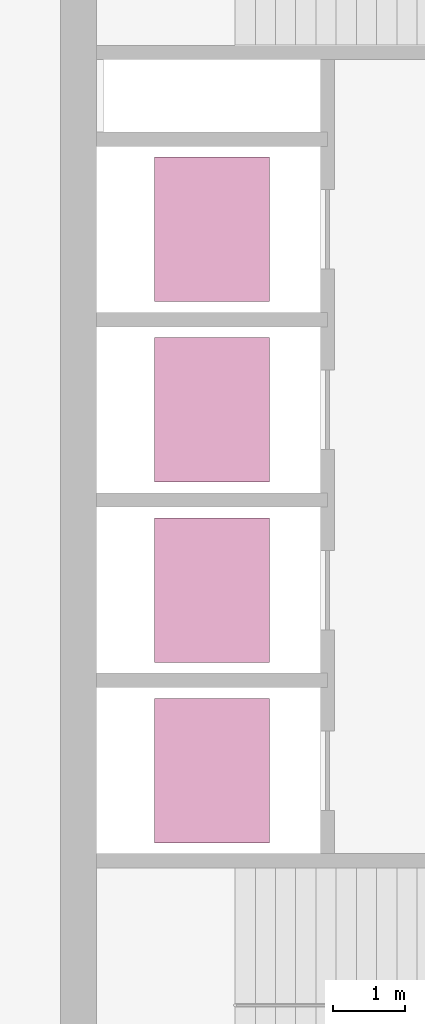
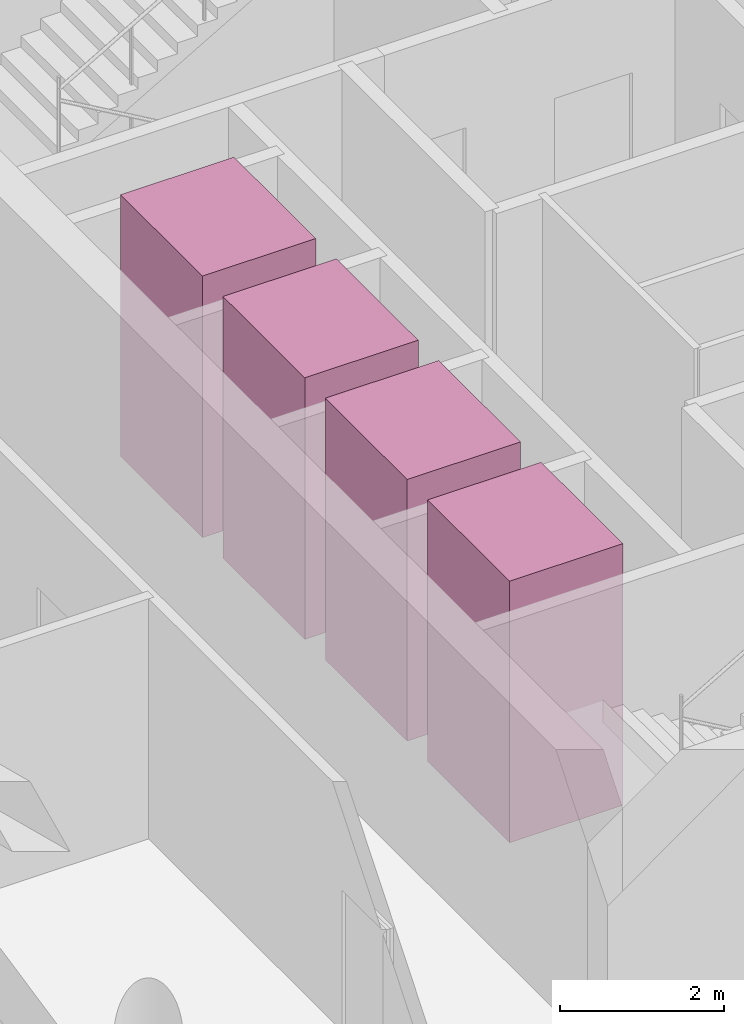
# One storey, part 8 of 8: 4 transport elements.
"""IFC4 building model written with IfcOpenShell, lengths in metres."""

from ifc_helpers import new_model, si_unit, direction, frame, origin, origin_2d, place, context, subcontext, project, spatial, rectangle, extrude, material, type_object, element, save


model = new_model("IFC4")

# Units and contexts
model_context = context("Model", 3, precision=1e-05, world=origin(), true_north=direction((0.0, 1.0)))
body_context = subcontext(model_context, "Body", "Model", "MODEL_VIEW")
ifc_project = project(units=[si_unit("LENGTHUNIT", "METRE"), si_unit("AREAUNIT", "SQUARE_METRE"), si_unit("VOLUMEUNIT", "CUBIC_METRE"), si_unit("PLANEANGLEUNIT", "RADIAN"), si_unit("MASSUNIT", "GRAM", prefix="KILO")], contexts=[model_context])

# Site, building, storey
site_placement = place(None, origin())
site = spatial("IfcSite", under=ifc_project, at=site_placement, CompositionType="ELEMENT")
building_placement = place(site_placement, origin())
building = spatial("IfcBuilding", under=site, at=building_placement, Name="Qaws Garden Tower", CompositionType="ELEMENT")
storey_placement = place(building_placement, frame((0.0, 0.0, 282.60009765625)))
storey = spatial("IfcBuildingStorey", under=building, at=storey_placement, Name="L68", CompositionType="ELEMENT", Elevation=282.60009765625)

# Transport elements
ifc_material = material(Name="Stainless steel 316", Category="steel")
transport_element_type = type_object("IfcTransportElementType", Name="Passenger lift car 2000x1600 1800 kg", PredefinedType="ELEVATOR", material=ifc_material)
for number, where, z_axis, x_axis, name in (
    (1, (10.10009765625, 13.64990234375, 0.0), (0.0, 0.0, 1.0), (1.0, 0.0, 0.0), "HR1"),
    (2, (10.10009765625, 16.14990234375, 0.0), (0.0, 0.0, 1.0), (1.0, 0.0, 0.0), "HR2"),
    (3, (10.10009765625, 18.64990234375, 0.0), (0.0, 0.0, 1.0), (1.0, 0.0, 0.0), "HR3"),
    (4, (10.10009765625, 21.14990234375, 0.0), (0.0, 0.0, 1.0), (1.0, 0.0, 0.0), "HR4"),
):
    element("IfcTransportElement", number, at=place(storey_placement, frame(where, z_axis=z_axis, x_axis=x_axis)), inside=storey, type_object=transport_element_type, Name=name, PredefinedType="ELEVATOR", context=body_context, shape_type="SweptSolid", body=[
        extrude(rectangle(XDim=1.60009765625, YDim=2.0, at=origin_2d()), origin(), (0.0, 0.0, 1.0), 3.89990234375),
    ])

save(model, "model.ifc")
